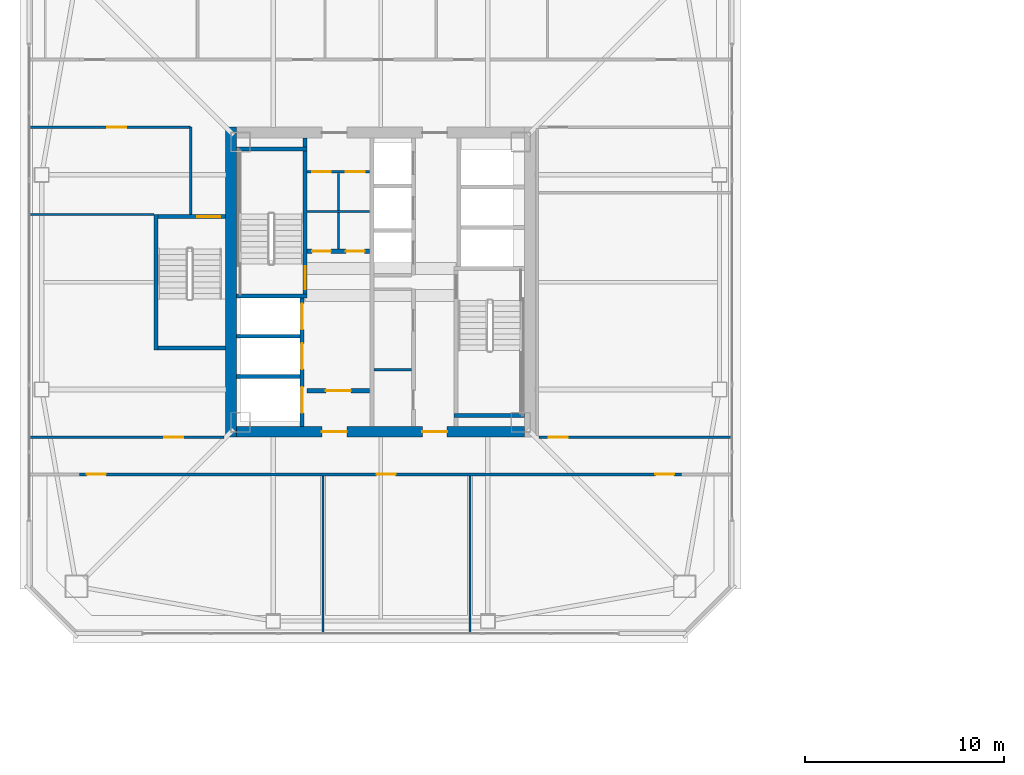
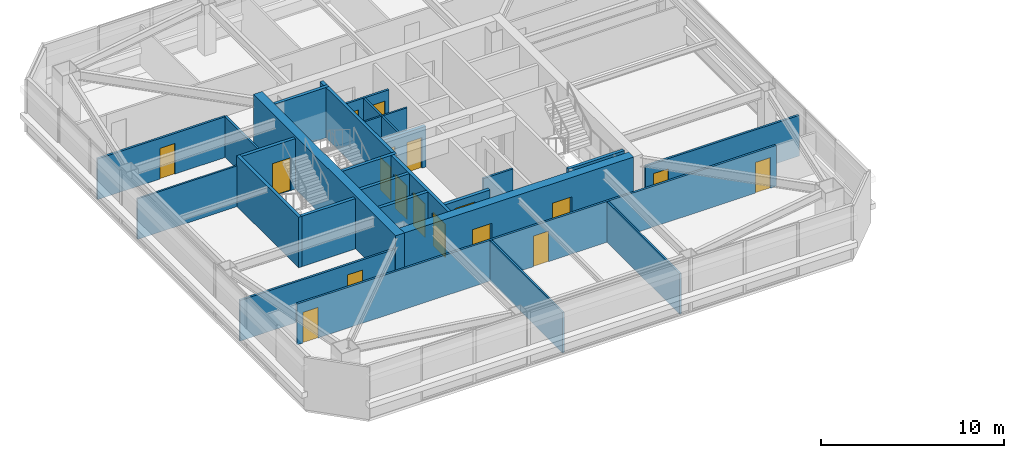
# One storey, part 33 of 43: 26 walls, 18 doors, 18 openings.
"""IFC4 building model written with IfcOpenShell, lengths in metres."""

from ifc_helpers import new_model, si_unit, direction, frame, frame_2d, origin, place, context, subcontext, project, spatial, rectangle, extrude, material, layer, layer_set, type_object, element, fill, save


model = new_model("IFC4")

# Units and contexts
model_context = context("Model", 3, precision=1e-05, world=origin(), true_north=direction((0.0, 1.0)))
body_context = subcontext(model_context, "Body", "Model", "MODEL_VIEW")
ifc_project = project(units=[si_unit("LENGTHUNIT", "METRE"), si_unit("AREAUNIT", "SQUARE_METRE"), si_unit("VOLUMEUNIT", "CUBIC_METRE"), si_unit("PLANEANGLEUNIT", "RADIAN"), si_unit("MASSUNIT", "GRAM", prefix="KILO")], contexts=[model_context])

# Site, building, storey
site_placement = place(None, origin())
site = spatial("IfcSite", under=ifc_project, at=site_placement, CompositionType="ELEMENT")
building_placement = place(site_placement, origin())
building = spatial("IfcBuilding", under=site, at=building_placement, Name="Tashvorn Skyway Center", CompositionType="ELEMENT")
storey_placement = place(building_placement, frame((0.0, 0.0, 160.550048828125)))
storey = spatial("IfcBuildingStorey", under=building, at=storey_placement, Name="L43", CompositionType="ELEMENT", Elevation=160.550048828125)

# Wall
ifc_material_1 = material(Name="Concrete C60/75", Category="concrete")
ifc_layer_1 = layer(ifc_material_1, 0.550048828125)
ifc_layer_set_1 = layer_set([ifc_layer_1], Name="Concrete C60/75")
wall_type_1 = type_object("IfcWallType", Name="WALL-CORE-550", PredefinedType="SHEAR", material=ifc_layer_set_1)
wall_1_placement = place(storey_placement, frame((34.47509765625, 24.199951171875, 0.0), z_axis=(0.0, 0.0, 1.0), x_axis=(0.0, 1.0, 0.0)))
element("IfcWall", 1, at=wall_1_placement, inside=storey, type_object=wall_type_1, Name="Tower 1 L43 West Core Shear Wall", PredefinedType="SHEAR", context=body_context, shape_type="SweptSolid", body=[
    extrude(rectangle(XDim=15.60009765625, YDim=0.550048828125, at=frame_2d((7.800048828125, 0.0))), origin(), (0.0, 0.0, 1.0), 3.550048828125),
])

# Wall, openings, doors
wall_2_placement = place(storey_placement, frame((49.25, 24.47509765625, 0.0), z_axis=(0.0, 0.0, 1.0), x_axis=(-1.0, 0.0, 0.0)))
wall_2 = element("IfcWall", 2, at=wall_2_placement, inside=storey, type_object=wall_type_1, Name="Tower 1 L43 South Core Shear Wall", PredefinedType="SHEAR", context=body_context, shape_type="SweptSolid", body=[
    extrude(rectangle(XDim=14.5, YDim=0.550048828125, at=frame_2d((7.25, 0.0))), origin(), (0.0, 0.0, 1.0), 3.550048828125),
])
opening_1_placement = place(wall_2_placement, frame((8.949951171875, 0.0, 0.0)))
opening_1 = element("IfcOpeningElement", 3, at=opening_1_placement, cuts=wall_2, Name="Opening D-FFL-1250", PredefinedType="OPENING", context=body_context, shape_type="SweptSolid", body=[
    extrude(rectangle(XDim=1.25, YDim=2.25, at=frame_2d((0.625, 1.125))), frame((0.0, 0.284912109375, 0.0), z_axis=(0.0, -1.0, 0.0), x_axis=(1.0, 0.0, 0.0)), (0.0, 0.0, 1.0), 0.570068359375),
])
opening_2_placement = place(wall_2_placement, frame((3.89990234375, 0.0, 0.0)))
opening_2 = element("IfcOpeningElement", 4, at=opening_2_placement, cuts=wall_2, Name="Opening D-FFL-1250", PredefinedType="OPENING", context=body_context, shape_type="SweptSolid", body=[
    extrude(rectangle(XDim=1.25, YDim=2.25, at=frame_2d((0.625, 1.125))), frame((0.0, 0.284912109375, 0.0), z_axis=(0.0, -1.0, 0.0), x_axis=(1.0, 0.0, 0.0)), (0.0, 0.0, 1.0), 0.570068359375),
])
ifc_material_2 = material(Name="Hollow galvanized steel fire door assembly", Category="steel")
door_type_1 = type_object("IfcDoorType", Name="DOOR-FFL-1250", OperationType="NOTDEFINED", PredefinedType="DOOR", material=ifc_material_2)
door_1_placement = place(opening_1_placement, origin())
door_1 = element("IfcDoor", 5, at=door_1_placement, inside=storey, type_object=door_type_1, Name="Tower 1 L43 Core South Firefighting Exit Door", OperationType="SINGLE_SWING_LEFT", OverallHeight=2.25, OverallWidth=1.25, PredefinedType="DOOR", context=body_context, shape_type="SweptSolid", body=[
    extrude(rectangle(XDim=1.25, YDim=2.25, at=frame_2d((0.625, 1.125))), frame((0.0, 0.02490234375, 0.0), z_axis=(0.0, -1.0, 0.0), x_axis=(1.0, 0.0, 0.0)), (0.0, 0.0, 1.0), 0.050048828125),
])
fill(opening_1, door_1)
door_2_placement = place(opening_2_placement, origin())
door_2 = element("IfcDoor", 6, at=door_2_placement, inside=storey, type_object=door_type_1, Name="Tower 1 L43 Core South Lift Lobby Door", OperationType="SINGLE_SWING_RIGHT", OverallHeight=2.25, OverallWidth=1.25, PredefinedType="DOOR", context=body_context, shape_type="SweptSolid", body=[
    extrude(rectangle(XDim=1.25, YDim=2.25, at=frame_2d((0.625, 1.125))), frame((0.0, 0.02490234375, 0.0), z_axis=(0.0, -1.0, 0.0), x_axis=(1.0, 0.0, 0.0)), (0.0, 0.0, 1.0), 0.050048828125),
])
fill(opening_2, door_2)

ifc_material_3 = material(Name="Concrete C40/50", Category="concrete")
ifc_layer_2 = layer(ifc_material_3, 0.219970703125)
ifc_layer_set_2 = layer_set([ifc_layer_2], Name="Concrete C40/50")
wall_type_2 = type_object("IfcWallType", Name="WALL-FFL-220", PredefinedType="SOLIDWALL", material=ifc_layer_set_2)
wall_3_placement = place(storey_placement, frame((38.300048828125, 33.56005859375, 0.0), z_axis=(0.0, 0.0, 1.0), x_axis=(1.0, 0.0, 0.0)))
wall_3 = element("IfcWall", 7, at=wall_3_placement, inside=storey, type_object=wall_type_2, Name="Tower 1 L43 Firefighting Lobby North Wall", PredefinedType="SOLIDWALL", context=body_context, shape_type="SweptSolid", body=[
    extrude(rectangle(XDim=3.14990234375, YDim=0.219970703125, at=frame_2d((1.574951171875, 0.0))), origin(), (0.0, 0.0, 1.0), 2.722900390625),
])
opening_3_placement = place(wall_3_placement, frame((0.25, 0.0, 0.0)))
opening_3 = element("IfcOpeningElement", 8, at=opening_3_placement, cuts=wall_3, Name="Opening D-RT-950", PredefinedType="OPENING", context=body_context, shape_type="SweptSolid", body=[
    extrude(rectangle(XDim=0.949951171875, YDim=2.050048828125, at=frame_2d((0.47509765625, 1.02490234375))), frame((0.0, 0.119873046875, 0.0), z_axis=(0.0, -1.0, 0.0), x_axis=(1.0, 0.0, 0.0)), (0.0, 0.0, 1.0), 0.239990234375),
])
opening_4_placement = place(wall_3_placement, frame((1.949951171875, 0.0, 0.0)))
opening_4 = element("IfcOpeningElement", 9, at=opening_4_placement, cuts=wall_3, Name="Opening D-RT-950", PredefinedType="OPENING", context=body_context, shape_type="SweptSolid", body=[
    extrude(rectangle(XDim=0.949951171875, YDim=2.050048828125, at=frame_2d((0.47509765625, 1.02490234375))), frame((0.0, 0.119873046875, 0.0), z_axis=(0.0, -1.0, 0.0), x_axis=(1.0, 0.0, 0.0)), (0.0, 0.0, 1.0), 0.239990234375),
])
door_type_2 = type_object("IfcDoorType", Name="DOOR-RATED-950", OperationType="NOTDEFINED", PredefinedType="DOOR", material=ifc_material_2)
door_3_placement = place(opening_3_placement, origin())
door_3 = element("IfcDoor", 10, at=door_3_placement, inside=storey, type_object=door_type_2, Name="Tower 1 L43 Core Mail Room Door", OperationType="SINGLE_SWING_LEFT", OverallHeight=2.050048828125, OverallWidth=0.949951171875, PredefinedType="DOOR", context=body_context, shape_type="SweptSolid", body=[
    extrude(rectangle(XDim=0.949951171875, YDim=2.050048828125, at=frame_2d((0.47509765625, 1.02490234375))), frame((0.0, 0.02490234375, 0.0), z_axis=(0.0, -1.0, 0.0), x_axis=(1.0, 0.0, 0.0)), (0.0, 0.0, 1.0), 0.050048828125),
])
fill(opening_3, door_3)
door_4_placement = place(opening_4_placement, origin())
door_4 = element("IfcDoor", 11, at=door_4_placement, inside=storey, type_object=door_type_2, Name="Tower 1 L43 Core Supply Closet Door", OperationType="SINGLE_SWING_RIGHT", OverallHeight=2.050048828125, OverallWidth=0.949951171875, PredefinedType="DOOR", context=body_context, shape_type="SweptSolid", body=[
    extrude(rectangle(XDim=0.949951171875, YDim=2.050048828125, at=frame_2d((0.47509765625, 1.02490234375))), frame((0.0, 0.02490234375, 0.0), z_axis=(0.0, -1.0, 0.0), x_axis=(1.0, 0.0, 0.0)), (0.0, 0.0, 1.0), 0.050048828125),
])
fill(opening_4, door_4)

# Wall, opening, door
wall_4_placement = place(storey_placement, frame((38.300048828125, 26.5400390625, 0.0), z_axis=(0.0, 0.0, 1.0), x_axis=(1.0, 0.0, 0.0)))
wall_4 = element("IfcWall", 12, at=wall_4_placement, inside=storey, type_object=wall_type_2, Name="Tower 1 L43 Firefighting Lobby South Wall", PredefinedType="SOLIDWALL", context=body_context, shape_type="SweptSolid", body=[
    extrude(rectangle(XDim=3.14990234375, YDim=0.219970703125, at=frame_2d((1.574951171875, 0.0))), origin(), (0.0, 0.0, 1.0), 2.722900390625),
])
opening_5_placement = place(wall_4_placement, frame((0.949951171875, 0.0, 0.0)))
opening_5 = element("IfcOpeningElement", 13, at=opening_5_placement, cuts=wall_4, Name="Opening D-FFL-1250", PredefinedType="OPENING", context=body_context, shape_type="SweptSolid", body=[
    extrude(rectangle(XDim=1.25, YDim=2.25, at=frame_2d((0.625, 1.125))), frame((0.0, 0.119873046875, 0.0), z_axis=(0.0, -1.0, 0.0), x_axis=(1.0, 0.0, 0.0)), (0.0, 0.0, 1.0), 0.239990234375),
])
door_5_placement = place(opening_5_placement, origin())
door_5 = element("IfcDoor", 14, at=door_5_placement, inside=storey, type_object=door_type_1, Name="Tower 1 L43 Firefighting Lobby Egress Door", OperationType="SINGLE_SWING_LEFT", OverallHeight=2.25, OverallWidth=1.25, PredefinedType="DOOR", context=body_context, shape_type="SweptSolid", body=[
    extrude(rectangle(XDim=1.25, YDim=2.25, at=frame_2d((0.625, 1.125))), frame((0.0, 0.02490234375, 0.0), z_axis=(0.0, -1.0, 0.0), x_axis=(1.0, 0.0, 0.0)), (0.0, 0.0, 1.0), 0.050048828125),
])
fill(opening_5, door_5)

# Walls
ifc_material_4 = material(Name="Gypsum board on cold-formed steel stud framing", Category="steel")
ifc_layer_3 = layer(ifc_material_4, 0.110107421875)
ifc_layer_set_3 = layer_set([ifc_layer_3], Name="Gypsum board on cold-formed steel stud framing")
wall_type_3 = type_object("IfcWallType", Name="WALL-PART-110", PredefinedType="PARTITIONING", material=ifc_layer_set_3)
for number, where, z_axis, x_axis, name in (
    (15, (39.10009765625, 14.320068359375, 0.0), (0.0, 0.0, 1.0), (0.0, 1.0, 0.0), "Tower 1 L43 South Suite Partition 1"),
    (16, (46.5, 14.320068359375, 0.0), (0.0, 0.0, 1.0), (0.0, 1.0, 0.0), "Tower 1 L43 South Suite Partition 2"),
):
    element("IfcWall", number, at=place(storey_placement, frame(where, z_axis=z_axis, x_axis=x_axis)), inside=storey, type_object=wall_type_3, Name=name, PredefinedType="PARTITIONING", context=body_context, shape_type="SweptSolid", body=[
        extrude(rectangle(XDim=7.929931640625, YDim=0.110107421875, at=frame_2d((3.96484375, 0.0))), origin(), (0.0, 0.0, 1.0), 2.722900390625),
    ])
wall_5_placement = place(storey_placement, frame((30.60009765625, 35.39990234375, 0.0), z_axis=(0.0, 0.0, 1.0), x_axis=(-1.0, 0.0, 0.0)))
element("IfcWall", 17, at=wall_5_placement, inside=storey, type_object=wall_type_3, Name="Tower 1 L43 West Suite Partition 1", PredefinedType="PARTITIONING", context=body_context, shape_type="SweptSolid", body=[
    extrude(rectangle(XDim=6.280029296875, YDim=0.110107421875, at=frame_2d((3.14013671875, 0.0))), origin(), (0.0, 0.0, 1.0), 2.722900390625),
])
ifc_layer_4 = layer(ifc_material_4, 0.135009765625)
ifc_layer_set_4 = layer_set([ifc_layer_4], Name="Gypsum board on cold-formed steel stud framing")
wall_type_4 = type_object("IfcWallType", Name="WALL-PART-135", PredefinedType="PARTITIONING", material=ifc_layer_set_4)
wall_6_placement = place(storey_placement, frame((32.449951171875, 35.39990234375, 0.0), z_axis=(0.0, 0.0, 1.0), x_axis=(0.0, 1.0, 0.0)))
element("IfcWall", 18, at=wall_6_placement, inside=storey, type_object=wall_type_4, Name="Tower 1 L43 Stair 3 Access Corridor Wall", PredefinedType="PARTITIONING", context=body_context, shape_type="SweptSolid", body=[
    extrude(rectangle(XDim=4.400146484375, YDim=0.135009765625, at=frame_2d((2.2001953125, 0.0))), origin(), (0.0, 0.0, 1.0), 2.722900390625),
])

# Wall, openings, doors
wall_7_placement = place(storey_placement, frame((57.14990234375, 22.330078125, 0.0), z_axis=(0.0, 0.0, 1.0), x_axis=(-1.0, 0.0, 0.0)))
wall_7 = element("IfcWall", 19, at=wall_7_placement, inside=storey, type_object=wall_type_4, Name="Tower 1 L43 South Suite Wall", PredefinedType="PARTITIONING", context=body_context, shape_type="SweptSolid", body=[
    extrude(rectangle(XDim=30.2998046875, YDim=0.135009765625, at=frame_2d((15.14990234375, 0.0))), origin(), (0.0, 0.0, 1.0), 2.722900390625),
])
opening_6_placement = place(wall_7_placement, frame((28.969970703125, 0.0, 0.0)))
opening_6 = element("IfcOpeningElement", 20, at=opening_6_placement, cuts=wall_7, Name="Opening D-INT-950", PredefinedType="OPENING", context=body_context, shape_type="SweptSolid", body=[
    extrude(rectangle(XDim=0.949951171875, YDim=2.050048828125, at=frame_2d((0.47509765625, 1.02490234375))), frame((0.0, 0.077392578125, 0.0), z_axis=(0.0, -1.0, 0.0), x_axis=(1.0, 0.0, 0.0)), (0.0, 0.0, 1.0), 0.155029296875),
])
opening_7_placement = place(wall_7_placement, frame((14.392333984375, 0.0, 0.0)))
opening_7 = element("IfcOpeningElement", 21, at=opening_7_placement, cuts=wall_7, Name="Opening D-INT-950", PredefinedType="OPENING", context=body_context, shape_type="SweptSolid", body=[
    extrude(rectangle(XDim=0.949951171875, YDim=2.050048828125, at=frame_2d((0.47509765625, 1.02490234375))), frame((0.0, 0.077392578125, 0.0), z_axis=(0.0, -1.0, 0.0), x_axis=(1.0, 0.0, 0.0)), (0.0, 0.0, 1.0), 0.155029296875),
])
opening_8_placement = place(wall_7_placement, frame((0.3798828125, 0.0, 0.0)))
opening_8 = element("IfcOpeningElement", 22, at=opening_8_placement, cuts=wall_7, Name="Opening D-INT-950", PredefinedType="OPENING", context=body_context, shape_type="SweptSolid", body=[
    extrude(rectangle(XDim=0.949951171875, YDim=2.050048828125, at=frame_2d((0.47509765625, 1.02490234375))), frame((0.0, 0.077392578125, 0.0), z_axis=(0.0, -1.0, 0.0), x_axis=(1.0, 0.0, 0.0)), (0.0, 0.0, 1.0), 0.155029296875),
])
ifc_material_5 = material(Name="Solid-core architectural oak veneer door")
door_type_3 = type_object("IfcDoorType", Name="DOOR-INT-950", OperationType="NOTDEFINED", PredefinedType="DOOR", material=ifc_material_5)
door_6_placement = place(opening_6_placement, origin())
door_6 = element("IfcDoor", 23, at=door_6_placement, inside=storey, type_object=door_type_3, Name="Tower 1 L43 Research Library Door", OperationType="SINGLE_SWING_LEFT", OverallHeight=2.050048828125, OverallWidth=0.949951171875, PredefinedType="DOOR", context=body_context, shape_type="SweptSolid", body=[
    extrude(rectangle(XDim=0.949951171875, YDim=2.050048828125, at=frame_2d((0.47509765625, 1.02490234375))), frame((0.0, 0.02490234375, 0.0), z_axis=(0.0, -1.0, 0.0), x_axis=(1.0, 0.0, 0.0)), (0.0, 0.0, 1.0), 0.050048828125),
])
fill(opening_6, door_6)
door_7_placement = place(opening_7_placement, origin())
door_7 = element("IfcDoor", 24, at=door_7_placement, inside=storey, type_object=door_type_3, Name="Tower 1 L43 Staff Fitness Club Door", OperationType="SINGLE_SWING_RIGHT", OverallHeight=2.050048828125, OverallWidth=0.949951171875, PredefinedType="DOOR", context=body_context, shape_type="SweptSolid", body=[
    extrude(rectangle(XDim=0.949951171875, YDim=2.050048828125, at=frame_2d((0.47509765625, 1.02490234375))), frame((0.0, 0.02490234375, 0.0), z_axis=(0.0, -1.0, 0.0), x_axis=(1.0, 0.0, 0.0)), (0.0, 0.0, 1.0), 0.050048828125),
])
fill(opening_7, door_7)
door_8_placement = place(opening_8_placement, origin())
door_8 = element("IfcDoor", 25, at=door_8_placement, inside=storey, type_object=door_type_3, Name="Tower 1 L43 Staff Fitness Club Door", OperationType="SINGLE_SWING_LEFT", OverallHeight=2.050048828125, OverallWidth=0.949951171875, PredefinedType="DOOR", context=body_context, shape_type="SweptSolid", body=[
    extrude(rectangle(XDim=0.949951171875, YDim=2.050048828125, at=frame_2d((0.47509765625, 1.02490234375))), frame((0.0, 0.02490234375, 0.0), z_axis=(0.0, -1.0, 0.0), x_axis=(1.0, 0.0, 0.0)), (0.0, 0.0, 1.0), 0.050048828125),
])
fill(opening_8, door_8)

# Wall, opening, door
wall_8_placement = place(storey_placement, frame((49.9599609375, 24.199951171875, 0.0), z_axis=(0.0, 0.0, 1.0), x_axis=(1.0, 0.0, 0.0)))
wall_8 = element("IfcWall", 26, at=wall_8_placement, inside=storey, type_object=wall_type_4, Name="Tower 1 L43 East Suite South Wall", PredefinedType="PARTITIONING", context=body_context, shape_type="SweptSolid", body=[
    extrude(rectangle(XDim=9.719970703125, YDim=0.135009765625, at=frame_2d((4.85986328125, 0.0))), origin(), (0.0, 0.0, 1.0), 2.722900390625),
])
opening_9_placement = place(wall_8_placement, frame((0.5, 0.0, 0.0)))
opening_9 = element("IfcOpeningElement", 27, at=opening_9_placement, cuts=wall_8, Name="Opening D-INT-950", PredefinedType="OPENING", context=body_context, shape_type="SweptSolid", body=[
    extrude(rectangle(XDim=0.949951171875, YDim=2.050048828125, at=frame_2d((0.47509765625, 1.02490234375))), frame((0.0, 0.077392578125, 0.0), z_axis=(0.0, -1.0, 0.0), x_axis=(1.0, 0.0, 0.0)), (0.0, 0.0, 1.0), 0.155029296875),
])
door_9_placement = place(opening_9_placement, origin())
door_9 = element("IfcDoor", 28, at=door_9_placement, inside=storey, type_object=door_type_3, Name="Tower 1 L43 Public Restroom Door", OperationType="SINGLE_SWING_LEFT", OverallHeight=2.050048828125, OverallWidth=0.949951171875, PredefinedType="DOOR", context=body_context, shape_type="SweptSolid", body=[
    extrude(rectangle(XDim=0.949951171875, YDim=2.050048828125, at=frame_2d((0.47509765625, 1.02490234375))), frame((0.0, 0.02490234375, 0.0), z_axis=(0.0, -1.0, 0.0), x_axis=(1.0, 0.0, 0.0)), (0.0, 0.0, 1.0), 0.050048828125),
])
fill(opening_9, door_9)

wall_9_placement = place(storey_placement, frame((32.449951171875, 39.800048828125, 0.0), z_axis=(0.0, 0.0, 1.0), x_axis=(-1.0, 0.0, 0.0)))
wall_9 = element("IfcWall", 29, at=wall_9_placement, inside=storey, type_object=wall_type_4, Name="Tower 1 L43 West Suite North Wall", PredefinedType="PARTITIONING", context=body_context, shape_type="SweptSolid", body=[
    extrude(rectangle(XDim=8.1298828125, YDim=0.135009765625, at=frame_2d((4.06494140625, 0.0))), origin(), (0.0, 0.0, 1.0), 2.722900390625),
])
opening_10_placement = place(wall_9_placement, frame((3.239990234375, 0.0, 0.0)))
opening_10 = element("IfcOpeningElement", 30, at=opening_10_placement, cuts=wall_9, Name="Opening D-INT-950", PredefinedType="OPENING", context=body_context, shape_type="SweptSolid", body=[
    extrude(rectangle(XDim=0.949951171875, YDim=2.050048828125, at=frame_2d((0.47509765625, 1.02490234375))), frame((0.0, 0.077392578125, 0.0), z_axis=(0.0, -1.0, 0.0), x_axis=(1.0, 0.0, 0.0)), (0.0, 0.0, 1.0), 0.155029296875),
])
door_10_placement = place(opening_10_placement, origin())
door_10 = element("IfcDoor", 31, at=door_10_placement, inside=storey, type_object=door_type_3, Name="Tower 1 L43 Design Studio Door", OperationType="SINGLE_SWING_RIGHT", OverallHeight=2.050048828125, OverallWidth=0.949951171875, PredefinedType="DOOR", context=body_context, shape_type="SweptSolid", body=[
    extrude(rectangle(XDim=0.949951171875, YDim=2.050048828125, at=frame_2d((0.47509765625, 1.02490234375))), frame((0.0, 0.02490234375, 0.0), z_axis=(0.0, -1.0, 0.0), x_axis=(1.0, 0.0, 0.0)), (0.0, 0.0, 1.0), 0.050048828125),
])
fill(opening_10, door_10)

wall_10_placement = place(storey_placement, frame((24.320068359375, 24.199951171875, 0.0), z_axis=(0.0, 0.0, 1.0), x_axis=(1.0, 0.0, 0.0)))
wall_10 = element("IfcWall", 32, at=wall_10_placement, inside=storey, type_object=wall_type_4, Name="Tower 1 L43 West Suite South Wall", PredefinedType="PARTITIONING", context=body_context, shape_type="SweptSolid", body=[
    extrude(rectangle(XDim=9.800048828125, YDim=0.135009765625, at=frame_2d((4.89990234375, 0.0))), origin(), (0.0, 0.0, 1.0), 2.722900390625),
])
opening_11_placement = place(wall_10_placement, frame((6.804931640625, 0.0, 0.0)))
opening_11 = element("IfcOpeningElement", 33, at=opening_11_placement, cuts=wall_10, Name="Opening D-INT-950", PredefinedType="OPENING", context=body_context, shape_type="SweptSolid", body=[
    extrude(rectangle(XDim=0.949951171875, YDim=2.050048828125, at=frame_2d((0.47509765625, 1.02490234375))), frame((0.0, 0.077392578125, 0.0), z_axis=(0.0, -1.0, 0.0), x_axis=(1.0, 0.0, 0.0)), (0.0, 0.0, 1.0), 0.155029296875),
])
door_11_placement = place(opening_11_placement, origin())
door_11 = element("IfcDoor", 34, at=door_11_placement, inside=storey, type_object=door_type_3, Name="Tower 1 L43 Public Restroom Door", OperationType="SINGLE_SWING_LEFT", OverallHeight=2.050048828125, OverallWidth=0.949951171875, PredefinedType="DOOR", context=body_context, shape_type="SweptSolid", body=[
    extrude(rectangle(XDim=0.949951171875, YDim=2.050048828125, at=frame_2d((0.47509765625, 1.02490234375))), frame((0.0, 0.02490234375, 0.0), z_axis=(0.0, -1.0, 0.0), x_axis=(1.0, 0.0, 0.0)), (0.0, 0.0, 1.0), 0.050048828125),
])
fill(opening_11, door_11)

# Walls
ifc_layer_5 = layer(ifc_material_4, 0.110107421875)
ifc_layer_set_5 = layer_set([ifc_layer_5], Name="Gypsum board on cold-formed steel stud framing")
wall_type_5 = type_object("IfcWallType", Name="WALL-RATED-110", PredefinedType="PARTITIONING", material=ifc_layer_set_5)
wall_11_placement = place(storey_placement, frame((39.8798828125, 33.679931640625, 0.0), z_axis=(0.0, 0.0, 1.0), x_axis=(0.0, 1.0, 0.0)))
element("IfcWall", 35, at=wall_11_placement, inside=storey, type_object=wall_type_5, Name="Tower 1 L43 Core Cross Vertical", PredefinedType="PARTITIONING", context=body_context, shape_type="SweptSolid", body=[
    extrude(rectangle(XDim=3.800048828125, YDim=0.110107421875, at=frame_2d((1.89990234375, 0.0))), origin(), (0.0, 0.0, 1.0), 2.722900390625),
])
wall_12_placement = place(storey_placement, frame((38.300048828125, 35.550048828125, 0.0), z_axis=(0.0, 0.0, 1.0), x_axis=(1.0, 0.0, 0.0)))
element("IfcWall", 36, at=wall_12_placement, inside=storey, type_object=wall_type_5, Name="Tower 1 L43 Core Cross Horizontal", PredefinedType="PARTITIONING", context=body_context, shape_type="SweptSolid", body=[
    extrude(rectangle(XDim=3.14990234375, YDim=0.110107421875, at=frame_2d((1.574951171875, 0.0))), origin(), (0.0, 0.0, 1.0), 2.722900390625),
])

# Wall, openings, doors
ifc_layer_6 = layer(ifc_material_4, 0.135009765625)
ifc_layer_set_6 = layer_set([ifc_layer_6], Name="Gypsum board on cold-formed steel stud framing")
wall_type_6 = type_object("IfcWallType", Name="WALL-RATED-135", PredefinedType="PARTITIONING", material=ifc_layer_set_6)
wall_13_placement = place(storey_placement, frame((38.300048828125, 37.550048828125, 0.0), z_axis=(0.0, 0.0, 1.0), x_axis=(1.0, 0.0, 0.0)))
wall_13 = element("IfcWall", 37, at=wall_13_placement, inside=storey, type_object=wall_type_6, Name="Tower 1 L43 Core Service Lobby Wall", PredefinedType="PARTITIONING", context=body_context, shape_type="SweptSolid", body=[
    extrude(rectangle(XDim=3.14990234375, YDim=0.135009765625, at=frame_2d((1.574951171875, 0.0))), origin(), (0.0, 0.0, 1.0), 2.722900390625),
])
opening_12_placement = place(wall_13_placement, frame((0.25, 0.0, 0.0)))
opening_12 = element("IfcOpeningElement", 38, at=opening_12_placement, cuts=wall_13, Name="Opening D-RT-950", PredefinedType="OPENING", context=body_context, shape_type="SweptSolid", body=[
    extrude(rectangle(XDim=0.949951171875, YDim=2.050048828125, at=frame_2d((0.47509765625, 1.02490234375))), frame((0.0, 0.077392578125, 0.0), z_axis=(0.0, -1.0, 0.0), x_axis=(1.0, 0.0, 0.0)), (0.0, 0.0, 1.0), 0.155029296875),
])
opening_13_placement = place(wall_13_placement, frame((1.949951171875, 0.0, 0.0)))
opening_13 = element("IfcOpeningElement", 39, at=opening_13_placement, cuts=wall_13, Name="Opening D-RT-950", PredefinedType="OPENING", context=body_context, shape_type="SweptSolid", body=[
    extrude(rectangle(XDim=0.949951171875, YDim=2.050048828125, at=frame_2d((0.47509765625, 1.02490234375))), frame((0.0, 0.077392578125, 0.0), z_axis=(0.0, -1.0, 0.0), x_axis=(1.0, 0.0, 0.0)), (0.0, 0.0, 1.0), 0.155029296875),
])
door_12_placement = place(opening_12_placement, origin())
door_12 = element("IfcDoor", 40, at=door_12_placement, inside=storey, type_object=door_type_2, Name="Tower 1 L43 Core Cleaner Store Door", OperationType="SINGLE_SWING_LEFT", OverallHeight=2.050048828125, OverallWidth=0.949951171875, PredefinedType="DOOR", context=body_context, shape_type="SweptSolid", body=[
    extrude(rectangle(XDim=0.949951171875, YDim=2.050048828125, at=frame_2d((0.47509765625, 1.02490234375))), frame((0.0, 0.02490234375, 0.0), z_axis=(0.0, -1.0, 0.0), x_axis=(1.0, 0.0, 0.0)), (0.0, 0.0, 1.0), 0.050048828125),
])
fill(opening_12, door_12)
door_13_placement = place(opening_13_placement, origin())
door_13 = element("IfcDoor", 41, at=door_13_placement, inside=storey, type_object=door_type_2, Name="Tower 1 L43 Core Accessible WC Door", OperationType="SINGLE_SWING_RIGHT", OverallHeight=2.050048828125, OverallWidth=0.949951171875, PredefinedType="DOOR", context=body_context, shape_type="SweptSolid", body=[
    extrude(rectangle(XDim=0.949951171875, YDim=2.050048828125, at=frame_2d((0.47509765625, 1.02490234375))), frame((0.0, 0.02490234375, 0.0), z_axis=(0.0, -1.0, 0.0), x_axis=(1.0, 0.0, 0.0)), (0.0, 0.0, 1.0), 0.050048828125),
])
fill(opening_13, door_13)

# Walls
wall_14_placement = place(storey_placement, frame((41.669921875, 27.60009765625, 0.0), z_axis=(0.0, 0.0, 1.0), x_axis=(1.0, 0.0, 0.0)))
element("IfcWall", 42, at=wall_14_placement, inside=storey, type_object=wall_type_6, Name="Tower 1 L43 Freed Core Partition", PredefinedType="PARTITIONING", context=body_context, shape_type="SweptSolid", body=[
    extrude(rectangle(XDim=1.880126953125, YDim=0.135009765625, at=frame_2d((0.93994140625, 0.0))), origin(), (0.0, 0.0, 1.0), 2.722900390625),
])
ifc_layer_7 = layer(ifc_material_3, 0.199951171875)
ifc_layer_set_7 = layer_set([ifc_layer_7], Name="Concrete C40/50")
wall_type_7 = type_object("IfcWallType", Name="WALL-SHAFT-200", PredefinedType="SOLIDWALL", material=ifc_layer_set_7)
for number, where, z_axis, x_axis, name in (
    (43, (34.75, 27.25, 0.0), (0.0, 0.0, 1.0), (1.0, 0.0, 0.0), "Tower 1 L43 FSAE Shaft Divider"),
    (44, (34.75, 29.280029296875, 0.0), (0.0, 0.0, 1.0), (1.0, 0.0, 0.0), "Tower 1 L43 FSAE Shaft Divider"),
):
    element("IfcWall", number, at=place(storey_placement, frame(where, z_axis=z_axis, x_axis=x_axis)), inside=storey, type_object=wall_type_7, Name=name, PredefinedType="SOLIDWALL", context=body_context, shape_type="SweptSolid", body=[
        extrude(rectangle(XDim=3.199951171875, YDim=0.199951171875, at=frame_2d((1.60009765625, 0.0))), origin(), (0.0, 0.0, 1.0), 3.369873046875),
    ])

# Wall, opening, door
ifc_layer_8 = layer(ifc_material_3, 0.199951171875)
ifc_layer_set_8 = layer_set([ifc_layer_8], Name="Concrete C40/50")
wall_type_8 = type_object("IfcWallType", Name="WALL-STSHF-200", PredefinedType="SHEAR", material=ifc_layer_set_8)
wall_15_placement = place(storey_placement, frame((38.199951171875, 31.199951171875, 0.0), z_axis=(0.0, 0.0, 1.0), x_axis=(0.0, 1.0, 0.0)))
wall_15 = element("IfcWall", 45, at=wall_15_placement, inside=storey, type_object=wall_type_8, Name="Tower 1 L43 Stair 1 Enclosure Wall", PredefinedType="SHEAR", context=body_context, shape_type="SweptSolid", body=[
    extrude(rectangle(XDim=8.050048828125, YDim=0.199951171875, at=frame_2d((4.02490234375, 0.0))), origin(), (0.0, 0.0, 1.0), 3.369873046875),
])
opening_14_placement = place(wall_15_placement, frame((0.449951171875, 0.0, 0.0)))
opening_14 = element("IfcOpeningElement", 46, at=opening_14_placement, cuts=wall_15, Name="Opening D-ST-1150", PredefinedType="OPENING", context=body_context, shape_type="SweptSolid", body=[
    extrude(rectangle(XDim=1.14990234375, YDim=2.199951171875, at=frame_2d((0.574951171875, 1.10009765625))), frame((0.0, 0.10986328125, 0.0), z_axis=(0.0, -1.0, 0.0), x_axis=(1.0, 0.0, 0.0)), (0.0, 0.0, 1.0), 0.219970703125),
])
door_type_4 = type_object("IfcDoorType", Name="DOOR-STAIR-1150", OperationType="NOTDEFINED", PredefinedType="DOOR", material=ifc_material_2)
door_14_placement = place(opening_14_placement, origin())
door_14 = element("IfcDoor", 47, at=door_14_placement, inside=storey, type_object=door_type_4, Name="Tower 1 L43 Exit Stair 1 Door", OperationType="SINGLE_SWING_RIGHT", OverallHeight=2.199951171875, OverallWidth=1.14990234375, PredefinedType="DOOR", context=body_context, shape_type="SweptSolid", body=[
    extrude(rectangle(XDim=1.14990234375, YDim=2.199951171875, at=frame_2d((0.574951171875, 1.10009765625))), frame((0.0, 0.02490234375, 0.0), z_axis=(0.0, -1.0, 0.0), x_axis=(1.0, 0.0, 0.0)), (0.0, 0.0, 1.0), 0.050048828125),
])
fill(opening_14, door_14)

# Walls
for number, where, z_axis, x_axis, name in (
    (48, (34.75, 31.300048828125, 0.0), (0.0, 0.0, 1.0), (1.0, 0.0, 0.0), "Tower 1 L43 Stair 1 South Wall"),
    (49, (34.75, 38.699951171875, 0.0), (0.0, 0.0, 1.0), (1.0, 0.0, 0.0), "Tower 1 L43 Stair 1 North Wall"),
    (50, (45.699951171875, 25.300048828125, 0.0), (0.0, 0.0, 1.0), (1.0, 0.0, 0.0), "Tower 1 L43 Stair 2 South Wall"),
):
    element("IfcWall", number, at=place(storey_placement, frame(where, z_axis=z_axis, x_axis=x_axis)), inside=storey, type_object=wall_type_8, Name=name, PredefinedType="SHEAR", context=body_context, shape_type="SweptSolid", body=[
        extrude(rectangle(XDim=3.550048828125, YDim=0.199951171875, at=frame_2d((1.77490234375, 0.0))), origin(), (0.0, 0.0, 1.0), 3.369873046875),
    ])

# Wall, openings, doors
wall_16_placement = place(storey_placement, frame((38.050048828125, 24.75, 0.0), z_axis=(0.0, 0.0, 1.0), x_axis=(0.0, 1.0, 0.0)))
wall_16 = element("IfcWall", 51, at=wall_16_placement, inside=storey, type_object=wall_type_8, Name="Tower 1 L43 FSAE and Goods Shaft Front Wall", PredefinedType="SHEAR", context=body_context, shape_type="SweptSolid", body=[
    extrude(rectangle(XDim=6.449951171875, YDim=0.199951171875, at=frame_2d((3.22509765625, 0.0))), origin(), (0.0, 0.0, 1.0), 3.369873046875),
])
opening_15_placement = place(wall_16_placement, frame((4.875, 0.0, 0.0)))
opening_15 = element("IfcOpeningElement", 52, at=opening_15_placement, cuts=wall_16, Name="Opening LD-FF-T1-1-L43", PredefinedType="OPENING", context=body_context, shape_type="SweptSolid", body=[
    extrude(rectangle(XDim=1.300048828125, YDim=2.25, at=frame_2d((0.64990234375, 1.125))), frame((0.0, 0.10986328125, 0.0), z_axis=(0.0, -1.0, 0.0), x_axis=(1.0, 0.0, 0.0)), (0.0, 0.0, 1.0), 0.219970703125),
])
opening_16_placement = place(wall_16_placement, frame((2.875, 0.0, 0.0)))
opening_16 = element("IfcOpeningElement", 53, at=opening_16_placement, cuts=wall_16, Name="Opening LD-FF-T1-2-L43", PredefinedType="OPENING", context=body_context, shape_type="SweptSolid", body=[
    extrude(rectangle(XDim=1.300048828125, YDim=2.25, at=frame_2d((0.64990234375, 1.125))), frame((0.0, 0.10986328125, 0.0), z_axis=(0.0, -1.0, 0.0), x_axis=(1.0, 0.0, 0.0)), (0.0, 0.0, 1.0), 0.219970703125),
])
opening_17_placement = place(wall_16_placement, frame((0.675048828125, 0.0, 0.0)))
opening_17 = element("IfcOpeningElement", 54, at=opening_17_placement, cuts=wall_16, Name="Opening LD-GD-T1-1-L43", PredefinedType="OPENING", context=body_context, shape_type="SweptSolid", body=[
    extrude(rectangle(XDim=1.300048828125, YDim=2.25, at=frame_2d((0.64990234375, 1.125))), frame((0.0, 0.10986328125, 0.0), z_axis=(0.0, -1.0, 0.0), x_axis=(1.0, 0.0, 0.0)), (0.0, 0.0, 1.0), 0.219970703125),
])
ifc_material_6 = material(Name="Stainless steel heavy-duty landing door", Category="steel")
door_type_5 = type_object("IfcDoorType", Name="DOOR-LIFT-1300", OperationType="SLIDING_TO_LEFT", PredefinedType="DOOR", material=ifc_material_6)
door_15_placement = place(opening_15_placement, origin())
door_15 = element("IfcDoor", 55, at=door_15_placement, inside=storey, type_object=door_type_5, Name="Lift FF-T1-1 L43 Landing Door", OperationType="SLIDING_TO_LEFT", OverallHeight=2.25, OverallWidth=1.300048828125, PredefinedType="DOOR", context=body_context, shape_type="SweptSolid", body=[
    extrude(rectangle(XDim=1.300048828125, YDim=2.25, at=frame_2d((0.64990234375, 1.125))), frame((0.0, 0.02490234375, 0.0), z_axis=(0.0, -1.0, 0.0), x_axis=(1.0, 0.0, 0.0)), (0.0, 0.0, 1.0), 0.050048828125),
])
fill(opening_15, door_15)
door_16_placement = place(opening_16_placement, origin())
door_16 = element("IfcDoor", 56, at=door_16_placement, inside=storey, type_object=door_type_5, Name="Lift FF-T1-2 L43 Landing Door", OperationType="SLIDING_TO_LEFT", OverallHeight=2.25, OverallWidth=1.300048828125, PredefinedType="DOOR", context=body_context, shape_type="SweptSolid", body=[
    extrude(rectangle(XDim=1.300048828125, YDim=2.25, at=frame_2d((0.64990234375, 1.125))), frame((0.0, 0.02490234375, 0.0), z_axis=(0.0, -1.0, 0.0), x_axis=(1.0, 0.0, 0.0)), (0.0, 0.0, 1.0), 0.050048828125),
])
fill(opening_16, door_16)
door_17_placement = place(opening_17_placement, origin())
door_17 = element("IfcDoor", 57, at=door_17_placement, inside=storey, type_object=door_type_5, Name="Lift GD-T1-1 L43 Landing Door", OperationType="SLIDING_TO_LEFT", OverallHeight=2.25, OverallWidth=1.300048828125, PredefinedType="DOOR", context=body_context, shape_type="SweptSolid", body=[
    extrude(rectangle(XDim=1.300048828125, YDim=2.25, at=frame_2d((0.64990234375, 1.125))), frame((0.0, 0.02490234375, 0.0), z_axis=(0.0, -1.0, 0.0), x_axis=(1.0, 0.0, 0.0)), (0.0, 0.0, 1.0), 0.050048828125),
])
fill(opening_17, door_17)

# Wall
wall_17_placement = place(storey_placement, frame((30.699951171875, 28.60009765625, 0.0), z_axis=(0.0, 0.0, 1.0), x_axis=(0.0, 1.0, 0.0)))
element("IfcWall", 58, at=wall_17_placement, inside=storey, type_object=wall_type_8, Name="Tower 1 L43 Stair 3 Outer Wall", PredefinedType="SHEAR", context=body_context, shape_type="SweptSolid", body=[
    extrude(rectangle(XDim=6.7998046875, YDim=0.199951171875, at=frame_2d((3.39990234375, 0.0))), origin(), (0.0, 0.0, 1.0), 3.369873046875),
])

# Wall, opening, door
wall_18_placement = place(storey_placement, frame((34.199951171875, 35.300048828125, 0.0), z_axis=(0.0, 0.0, 1.0), x_axis=(-1.0, 0.0, 0.0)))
wall_18 = element("IfcWall", 59, at=wall_18_placement, inside=storey, type_object=wall_type_8, Name="Tower 1 L43 Stair 3 Enclosure Wall", PredefinedType="SHEAR", context=body_context, shape_type="SweptSolid", body=[
    extrude(rectangle(XDim=3.39990234375, YDim=0.199951171875, at=frame_2d((1.699951171875, 0.0))), origin(), (0.0, 0.0, 1.0), 3.369873046875),
])
opening_18_placement = place(wall_18_placement, frame((0.27490234375, 0.0, 0.0)))
opening_18 = element("IfcOpeningElement", 60, at=opening_18_placement, cuts=wall_18, Name="Opening D-ST-1150", PredefinedType="OPENING", context=body_context, shape_type="SweptSolid", body=[
    extrude(rectangle(XDim=1.14990234375, YDim=2.199951171875, at=frame_2d((0.574951171875, 1.10009765625))), frame((0.0, 0.10986328125, 0.0), z_axis=(0.0, -1.0, 0.0), x_axis=(1.0, 0.0, 0.0)), (0.0, 0.0, 1.0), 0.219970703125),
])
door_18_placement = place(opening_18_placement, origin())
door_18 = element("IfcDoor", 61, at=door_18_placement, inside=storey, type_object=door_type_4, Name="Tower 1 L43 Exit Stair 3 Door", OperationType="SINGLE_SWING_RIGHT", OverallHeight=2.199951171875, OverallWidth=1.14990234375, PredefinedType="DOOR", context=body_context, shape_type="SweptSolid", body=[
    extrude(rectangle(XDim=1.14990234375, YDim=2.199951171875, at=frame_2d((0.574951171875, 1.10009765625))), frame((0.0, 0.02490234375, 0.0), z_axis=(0.0, -1.0, 0.0), x_axis=(1.0, 0.0, 0.0)), (0.0, 0.0, 1.0), 0.050048828125),
])
fill(opening_18, door_18)

# Wall
wall_19_placement = place(storey_placement, frame((30.800048828125, 28.699951171875, 0.0), z_axis=(0.0, 0.0, 1.0), x_axis=(1.0, 0.0, 0.0)))
element("IfcWall", 62, at=wall_19_placement, inside=storey, type_object=wall_type_8, Name="Tower 1 L43 Stair 3 South Wall", PredefinedType="SHEAR", context=body_context, shape_type="SweptSolid", body=[
    extrude(rectangle(XDim=3.39990234375, YDim=0.199951171875, at=frame_2d((1.699951171875, 0.0))), origin(), (0.0, 0.0, 1.0), 3.369873046875),
])

save(model, "model.ifc")
